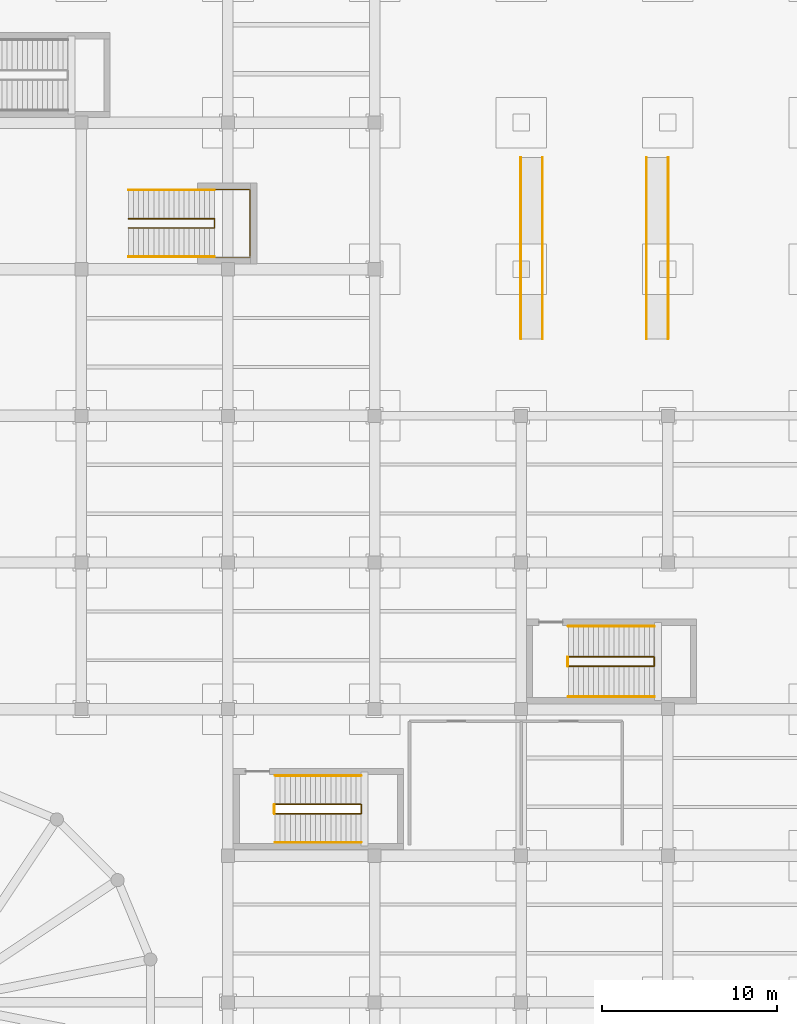
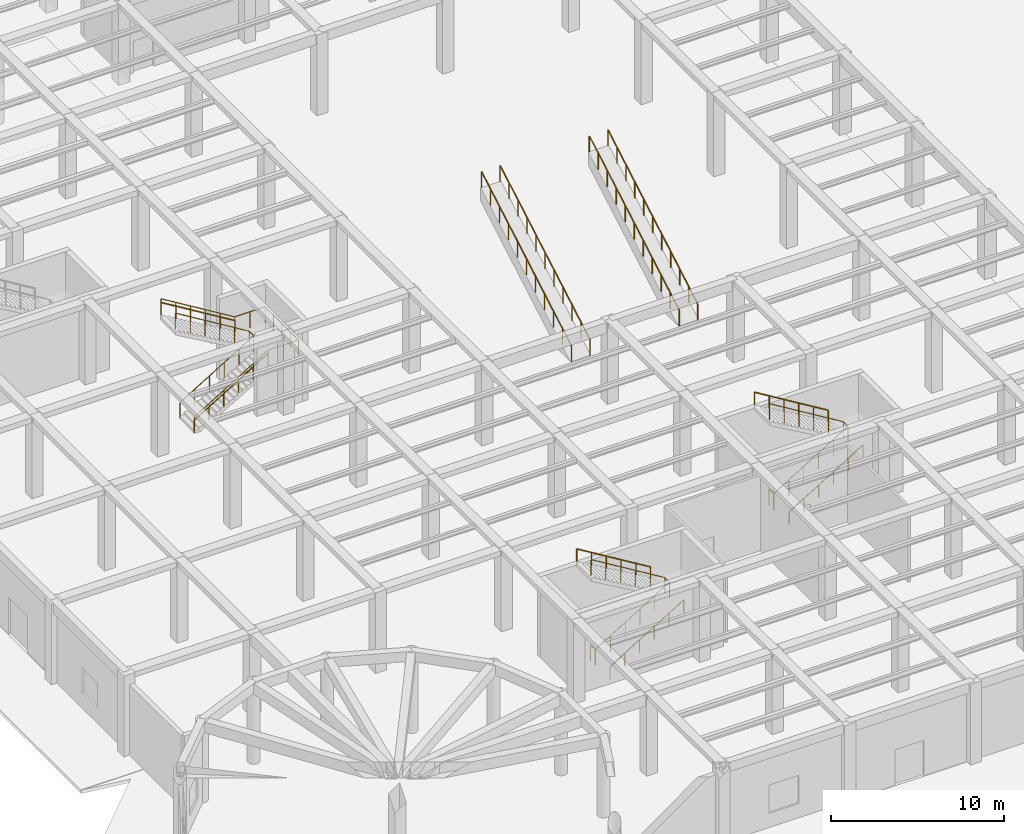
# One storey, part 34 of 43: 16 railings.
"""IFC4 building model written with IfcOpenShell, lengths in metres."""

from ifc_helpers import new_model, si_unit, direction, frame, origin, origin_2d, place, context, subcontext, project, spatial, circle, extrude, material, type_object, element, save


model = new_model("IFC4")

# Units and contexts
model_context = context("Model", 3, precision=1e-05, world=origin(), true_north=direction((0.0, 1.0)))
body_context = subcontext(model_context, "Body", "Model", "MODEL_VIEW")
ifc_project = project(units=[si_unit("LENGTHUNIT", "METRE"), si_unit("AREAUNIT", "SQUARE_METRE"), si_unit("VOLUMEUNIT", "CUBIC_METRE"), si_unit("PLANEANGLEUNIT", "RADIAN"), si_unit("MASSUNIT", "GRAM", prefix="KILO")], contexts=[model_context])

# Site, building, storey
site_placement = place(None, origin())
site = spatial("IfcSite", under=ifc_project, at=site_placement, CompositionType="ELEMENT")
building_placement = place(site_placement, origin())
building = spatial("IfcBuilding", under=site, at=building_placement, Name="Almacenes y Pasaje Nevantli", CompositionType="ELEMENT")
storey_placement = place(building_placement, origin())
storey = spatial("IfcBuildingStorey", under=building, at=storey_placement, Name="L01", CompositionType="ELEMENT", Elevation=0.0)

# Railings
ifc_material_1 = material(Name="Brushed Stainless Steel and Tempered Safety Glass", Category="steel")
railing_type_1 = type_object("IfcRailingType", Name="RL-GUARD-1100", PredefinedType="BALUSTRADE", material=ifc_material_1)
railing_1_placement = place(storey_placement, frame((27.89990234375, 19.2099609375, 0.0)))
element("IfcRailing", 1, at=railing_1_placement, inside=storey, type_object=railing_type_1, Name="L01 Stair ST-04 Inner Well Guard Balustrade", PredefinedType="BALUSTRADE", context=body_context, shape_type="SweptSolid", body=[
    extrude(circle(Radius=0.02392578125, at=origin_2d()), frame((0.025634765625, 0.0, 1.141357421875), z_axis=(0.854273700768, 0.0, 0.519823474053), x_axis=(0.0, 1.0, 0.0)), (0.0, 0.0, 1.0), 5.711181640625),
    extrude(circle(Radius=0.02392578125, at=origin_2d()), frame((4.93017578125, 0.030029296875, 4.1259765625), z_axis=(0.0, 1.0, 0.0), x_axis=(-1.0, 0.0, 0.0)), (0.0, 0.0, 1.0), 0.469970703125),
    extrude(circle(Radius=0.02392578125, at=origin_2d()), frame((4.904541015625, 0.530029296875, 4.141357421875), z_axis=(-0.854273700768, 0.0, 0.519823474053), x_axis=(0.0, -1.0, 0.0)), (0.0, 0.0, 1.0), 5.711181640625),
    extrude(circle(Radius=0.02099609375, at=origin_2d()), origin(), (0.0, 0.0, 1.0), 1.096923828125),
    extrude(circle(Radius=0.02099609375, at=origin_2d()), frame((0.986083984375, 0.0, 0.60009765625)), (0.0, 0.0, 1.0), 1.096923828125),
    extrude(circle(Radius=0.02099609375, at=origin_2d()), frame((1.97216796875, 0.0, 1.199951171875)), (0.0, 0.0, 1.0), 1.096923828125),
    extrude(circle(Radius=0.02099609375, at=origin_2d()), frame((2.9580078125, 0.0, 1.800048828125)), (0.0, 0.0, 1.0), 1.096923828125),
    extrude(circle(Radius=0.02099609375, at=origin_2d()), frame((3.944091796875, 0.0, 2.39990234375)), (0.0, 0.0, 1.0), 1.096923828125),
    extrude(circle(Radius=0.02099609375, at=origin_2d()), frame((4.93017578125, 0.0, 3.0)), (0.0, 0.0, 1.0), 1.096923828125),
    extrude(circle(Radius=0.02099609375, at=origin_2d()), frame((4.93017578125, 0.530029296875, 3.0)), (0.0, 0.0, 1.0), 1.096923828125),
    extrude(circle(Radius=0.02099609375, at=origin_2d()), frame((3.944091796875, 0.530029296875, 3.60009765625)), (0.0, 0.0, 1.0), 1.096923828125),
    extrude(circle(Radius=0.02099609375, at=origin_2d()), frame((2.9580078125, 0.530029296875, 4.199951171875)), (0.0, 0.0, 1.0), 1.096923828125),
    extrude(circle(Radius=0.02099609375, at=origin_2d()), frame((1.97216796875, 0.530029296875, 4.800048828125)), (0.0, 0.0, 1.0), 1.096923828125),
    extrude(circle(Radius=0.02099609375, at=origin_2d()), frame((0.986083984375, 0.530029296875, 5.39990234375)), (0.0, 0.0, 1.0), 1.096923828125),
    extrude(circle(Radius=0.02099609375, at=origin_2d()), frame((0.0, 0.530029296875, 6.0)), (0.0, 0.0, 1.0), 1.096923828125),
])
railing_2_placement = place(storey_placement, frame((27.860107421875, 19.2099609375, 0.0)))
element("IfcRailing", 2, at=railing_2_placement, inside=storey, type_object=railing_type_1, Name="L01 Stair ST-04 Landing Well Slot Guard", PredefinedType="BALUSTRADE", context=body_context, shape_type="SweptSolid", body=[
    extrude(circle(Radius=0.02392578125, at=origin_2d()), frame((0.0, 0.030029296875, 1.1259765625), z_axis=(0.0, 1.0, 0.0), x_axis=(-1.0, 0.0, 0.0)), (0.0, 0.0, 1.0), 0.469970703125),
    extrude(circle(Radius=0.02099609375, at=origin_2d()), origin(), (0.0, 0.0, 1.0), 1.096923828125),
    extrude(circle(Radius=0.02099609375, at=origin_2d()), frame((0.0, 0.530029296875, 0.0)), (0.0, 0.0, 1.0), 1.096923828125),
])
railing_3_placement = place(storey_placement, frame((44.699951171875, 27.659912109375, 0.0)))
element("IfcRailing", 3, at=railing_3_placement, inside=storey, type_object=railing_type_1, Name="L01 Stair ST-14 Inner Well Guard Balustrade", PredefinedType="BALUSTRADE", context=body_context, shape_type="SweptSolid", body=[
    extrude(circle(Radius=0.02392578125, at=origin_2d()), frame((0.025634765625, 0.0, 1.141357421875), z_axis=(0.854262269089, 0.0, 0.519842260316), x_axis=(0.0, 1.0, 0.0)), (0.0, 0.0, 1.0), 5.7109375),
    extrude(circle(Radius=0.02392578125, at=origin_2d()), frame((4.929931640625, 0.030029296875, 4.1259765625), z_axis=(0.0, 1.0, 0.0), x_axis=(-1.0, 0.0, 0.0)), (0.0, 0.0, 1.0), 0.469970703125),
    extrude(circle(Radius=0.02392578125, at=origin_2d()), frame((4.904296875, 0.530029296875, 4.141357421875), z_axis=(-0.854262269089, 0.0, 0.519842260316), x_axis=(0.0, -1.0, 0.0)), (0.0, 0.0, 1.0), 5.7109375),
    extrude(circle(Radius=0.02099609375, at=origin_2d()), origin(), (0.0, 0.0, 1.0), 1.096923828125),
    extrude(circle(Radius=0.02099609375, at=origin_2d()), frame((0.986083984375, 0.0, 0.60009765625)), (0.0, 0.0, 1.0), 1.096923828125),
    extrude(circle(Radius=0.02099609375, at=origin_2d()), frame((1.971923828125, 0.0, 1.199951171875)), (0.0, 0.0, 1.0), 1.096923828125),
    extrude(circle(Radius=0.02099609375, at=origin_2d()), frame((2.9580078125, 0.0, 1.800048828125)), (0.0, 0.0, 1.0), 1.096923828125),
    extrude(circle(Radius=0.02099609375, at=origin_2d()), frame((3.94384765625, 0.0, 2.39990234375)), (0.0, 0.0, 1.0), 1.096923828125),
    extrude(circle(Radius=0.02099609375, at=origin_2d()), frame((4.929931640625, 0.0, 3.0)), (0.0, 0.0, 1.0), 1.096923828125),
    extrude(circle(Radius=0.02099609375, at=origin_2d()), frame((4.929931640625, 0.530029296875, 3.0)), (0.0, 0.0, 1.0), 1.096923828125),
    extrude(circle(Radius=0.02099609375, at=origin_2d()), frame((3.94384765625, 0.530029296875, 3.60009765625)), (0.0, 0.0, 1.0), 1.096923828125),
    extrude(circle(Radius=0.02099609375, at=origin_2d()), frame((2.9580078125, 0.530029296875, 4.199951171875)), (0.0, 0.0, 1.0), 1.096923828125),
    extrude(circle(Radius=0.02099609375, at=origin_2d()), frame((1.971923828125, 0.530029296875, 4.800048828125)), (0.0, 0.0, 1.0), 1.096923828125),
    extrude(circle(Radius=0.02099609375, at=origin_2d()), frame((0.986083984375, 0.530029296875, 5.39990234375)), (0.0, 0.0, 1.0), 1.096923828125),
    extrude(circle(Radius=0.02099609375, at=origin_2d()), frame((0.0, 0.530029296875, 6.0)), (0.0, 0.0, 1.0), 1.096923828125),
])
railing_4_placement = place(storey_placement, frame((44.659912109375, 27.659912109375, 0.0)))
element("IfcRailing", 4, at=railing_4_placement, inside=storey, type_object=railing_type_1, Name="L01 Stair ST-14 Landing Well Slot Guard", PredefinedType="BALUSTRADE", context=body_context, shape_type="SweptSolid", body=[
    extrude(circle(Radius=0.02392578125, at=origin_2d()), frame((0.0, 0.030029296875, 1.1259765625), z_axis=(0.0, 1.0, 0.0), x_axis=(-1.0, 0.0, 0.0)), (0.0, 0.0, 1.0), 0.469970703125),
    extrude(circle(Radius=0.02099609375, at=origin_2d()), origin(), (0.0, 0.0, 1.0), 1.096923828125),
    extrude(circle(Radius=0.02099609375, at=origin_2d()), frame((0.0, 0.530029296875, 0.0)), (0.0, 0.0, 1.0), 1.096923828125),
])
railing_5_placement = place(storey_placement, frame((19.5, 52.760009765625, 0.0)))
element("IfcRailing", 5, at=railing_5_placement, inside=storey, type_object=railing_type_1, Name="L01 Stair ST-09 Inner Well Guard Balustrade", PredefinedType="BALUSTRADE", context=body_context, shape_type="SweptSolid", body=[
    extrude(circle(Radius=0.02392578125, at=origin_2d()), frame((0.025634765625, 0.0, 1.141357421875), z_axis=(0.854262269089, 0.0, 0.519842260316), x_axis=(0.0, 1.0, 0.0)), (0.0, 0.0, 1.0), 5.7109375),
    extrude(circle(Radius=0.02392578125, at=origin_2d()), frame((4.929931640625, 0.030029296875, 4.1259765625), z_axis=(0.0, 1.0, 0.0), x_axis=(-1.0, 0.0, 0.0)), (0.0, 0.0, 1.0), 0.469970703125),
    extrude(circle(Radius=0.02392578125, at=origin_2d()), frame((4.904296875, 0.530029296875, 4.141357421875), z_axis=(-0.854262269089, 0.0, 0.519842260316), x_axis=(0.0, -1.0, 0.0)), (0.0, 0.0, 1.0), 5.7109375),
    extrude(circle(Radius=0.02099609375, at=origin_2d()), origin(), (0.0, 0.0, 1.0), 1.096923828125),
    extrude(circle(Radius=0.02099609375, at=origin_2d()), frame((0.986083984375, 0.0, 0.60009765625)), (0.0, 0.0, 1.0), 1.096923828125),
    extrude(circle(Radius=0.02099609375, at=origin_2d()), frame((1.971923828125, 0.0, 1.199951171875)), (0.0, 0.0, 1.0), 1.096923828125),
    extrude(circle(Radius=0.02099609375, at=origin_2d()), frame((2.9580078125, 0.0, 1.800048828125)), (0.0, 0.0, 1.0), 1.096923828125),
    extrude(circle(Radius=0.02099609375, at=origin_2d()), frame((3.94384765625, 0.0, 2.39990234375)), (0.0, 0.0, 1.0), 1.096923828125),
    extrude(circle(Radius=0.02099609375, at=origin_2d()), frame((4.929931640625, 0.0, 3.0)), (0.0, 0.0, 1.0), 1.096923828125),
    extrude(circle(Radius=0.02099609375, at=origin_2d()), frame((4.929931640625, 0.530029296875, 3.0)), (0.0, 0.0, 1.0), 1.096923828125),
    extrude(circle(Radius=0.02099609375, at=origin_2d()), frame((3.94384765625, 0.530029296875, 3.60009765625)), (0.0, 0.0, 1.0), 1.096923828125),
    extrude(circle(Radius=0.02099609375, at=origin_2d()), frame((2.9580078125, 0.530029296875, 4.199951171875)), (0.0, 0.0, 1.0), 1.096923828125),
    extrude(circle(Radius=0.02099609375, at=origin_2d()), frame((1.971923828125, 0.530029296875, 4.800048828125)), (0.0, 0.0, 1.0), 1.096923828125),
    extrude(circle(Radius=0.02099609375, at=origin_2d()), frame((0.986083984375, 0.530029296875, 5.39990234375)), (0.0, 0.0, 1.0), 1.096923828125),
    extrude(circle(Radius=0.02099609375, at=origin_2d()), frame((0.0, 0.530029296875, 6.0)), (0.0, 0.0, 1.0), 1.096923828125),
])
railing_6_placement = place(storey_placement, frame((19.5, 51.090087890625, 0.0)))
element("IfcRailing", 6, at=railing_6_placement, inside=storey, type_object=railing_type_1, Name="L01 Monumental Stair ST-09 Outer Balustrade", PredefinedType="BALUSTRADE", context=body_context, shape_type="SweptSolid", body=[
    extrude(circle(Radius=0.02392578125, at=origin_2d()), frame((0.025634765625, 0.0, 1.141357421875), z_axis=(0.854262269089, 0.0, 0.519842260316), x_axis=(0.0, 1.0, 0.0)), (0.0, 0.0, 1.0), 5.7109375),
    extrude(circle(Radius=0.02392578125, at=origin_2d()), frame((4.9599609375, 0.0, 4.1259765625), z_axis=(1.0, 0.0, 0.0), x_axis=(0.0, 1.0, 0.0)), (0.0, 0.0, 1.0), 1.969970703125),
    extrude(circle(Radius=0.02392578125, at=origin_2d()), frame((6.9599609375, 0.030029296875, 4.1259765625), z_axis=(0.0, 1.0, 0.0), x_axis=(-1.0, 0.0, 0.0)), (0.0, 0.0, 1.0), 3.809814453125),
    extrude(circle(Radius=0.02392578125, at=origin_2d()), frame((6.929931640625, 3.869873046875, 4.1259765625), z_axis=(-1.0, 0.0, 0.0), x_axis=(0.0, -1.0, 0.0)), (0.0, 0.0, 1.0), 1.969970703125),
    extrude(circle(Radius=0.02392578125, at=origin_2d()), frame((4.904296875, 3.869873046875, 4.141357421875), z_axis=(-0.854262269089, 0.0, 0.519842260316), x_axis=(0.0, -1.0, 0.0)), (0.0, 0.0, 1.0), 5.7109375),
    extrude(circle(Radius=0.02099609375, at=origin_2d()), origin(), (0.0, 0.0, 1.0), 1.096923828125),
    extrude(circle(Radius=0.02099609375, at=origin_2d()), frame((0.986083984375, 0.0, 0.60009765625)), (0.0, 0.0, 1.0), 1.096923828125),
    extrude(circle(Radius=0.02099609375, at=origin_2d()), frame((1.971923828125, 0.0, 1.199951171875)), (0.0, 0.0, 1.0), 1.096923828125),
    extrude(circle(Radius=0.02099609375, at=origin_2d()), frame((2.9580078125, 0.0, 1.800048828125)), (0.0, 0.0, 1.0), 1.096923828125),
    extrude(circle(Radius=0.02099609375, at=origin_2d()), frame((3.94384765625, 0.0, 2.39990234375)), (0.0, 0.0, 1.0), 1.096923828125),
    extrude(circle(Radius=0.02099609375, at=origin_2d()), frame((4.929931640625, 0.0, 3.0)), (0.0, 0.0, 1.0), 1.096923828125),
    extrude(circle(Radius=0.02099609375, at=origin_2d()), frame((5.94482421875, 0.0, 3.0)), (0.0, 0.0, 1.0), 1.096923828125),
    extrude(circle(Radius=0.02099609375, at=origin_2d()), frame((6.9599609375, 0.0, 3.0)), (0.0, 0.0, 1.0), 1.096923828125),
    extrude(circle(Radius=0.02099609375, at=origin_2d()), frame((6.9599609375, 0.967529296875, 3.0)), (0.0, 0.0, 1.0), 1.096923828125),
    extrude(circle(Radius=0.02099609375, at=origin_2d()), frame((6.9599609375, 1.93505859375, 3.0)), (0.0, 0.0, 1.0), 1.096923828125),
    extrude(circle(Radius=0.02099609375, at=origin_2d()), frame((6.9599609375, 2.90234375, 3.0)), (0.0, 0.0, 1.0), 1.096923828125),
    extrude(circle(Radius=0.02099609375, at=origin_2d()), frame((6.9599609375, 3.869873046875, 3.0)), (0.0, 0.0, 1.0), 1.096923828125),
    extrude(circle(Radius=0.02099609375, at=origin_2d()), frame((5.94482421875, 3.869873046875, 3.0)), (0.0, 0.0, 1.0), 1.096923828125),
    extrude(circle(Radius=0.02099609375, at=origin_2d()), frame((4.929931640625, 3.869873046875, 3.0)), (0.0, 0.0, 1.0), 1.096923828125),
    extrude(circle(Radius=0.02099609375, at=origin_2d()), frame((3.94384765625, 3.869873046875, 3.60009765625)), (0.0, 0.0, 1.0), 1.096923828125),
    extrude(circle(Radius=0.02099609375, at=origin_2d()), frame((2.9580078125, 3.869873046875, 4.199951171875)), (0.0, 0.0, 1.0), 1.096923828125),
    extrude(circle(Radius=0.02099609375, at=origin_2d()), frame((1.971923828125, 3.869873046875, 4.800048828125)), (0.0, 0.0, 1.0), 1.096923828125),
    extrude(circle(Radius=0.02099609375, at=origin_2d()), frame((0.986083984375, 3.869873046875, 5.39990234375)), (0.0, 0.0, 1.0), 1.096923828125),
    extrude(circle(Radius=0.02099609375, at=origin_2d()), frame((0.0, 3.869873046875, 6.0)), (0.0, 0.0, 1.0), 1.096923828125),
])
for number, where, name in (
    (7, (41.97998046875, 46.409912109375, 0.0), "Atrium Escalator ESC-01 W Balustrade"),
    (8, (43.219970703125, 46.409912109375, 0.0), "Atrium Escalator ESC-01 E Balustrade"),
    (9, (49.179931640625, 46.409912109375, 0.0), "Atrium Escalator ESC-02 W Balustrade"),
    (10, (50.419921875, 46.409912109375, 0.0), "Atrium Escalator ESC-02 E Balustrade"),
):
    element("IfcRailing", number, at=place(storey_placement, frame(where)), inside=storey, type_object=railing_type_1, Name=name, PredefinedType="BALUSTRADE", context=body_context, shape_type="SweptSolid", body=[
        extrude(circle(Radius=0.02392578125, at=origin_2d()), frame((0.0, 0.02587890625, 1.140869140625), z_axis=(0.0, 0.865980223875, 0.500078245734), x_axis=(-1.0, 0.0, 0.0)), (0.0, 0.0, 1.0), 11.938232421875),
        extrude(circle(Radius=0.02099609375, at=origin_2d()), origin(), (0.0, 0.0, 1.0), 1.096923828125),
        extrude(circle(Radius=0.02099609375, at=origin_2d()), frame((0.0, 1.0390625, 0.60009765625)), (0.0, 0.0, 1.0), 1.096923828125),
        extrude(circle(Radius=0.02099609375, at=origin_2d()), frame((0.0, 2.078125, 1.199951171875)), (0.0, 0.0, 1.0), 1.096923828125),
        extrude(circle(Radius=0.02099609375, at=origin_2d()), frame((0.0, 3.116943359375, 1.800048828125)), (0.0, 0.0, 1.0), 1.096923828125),
        extrude(circle(Radius=0.02099609375, at=origin_2d()), frame((0.0, 4.156005859375, 2.39990234375)), (0.0, 0.0, 1.0), 1.096923828125),
        extrude(circle(Radius=0.02099609375, at=origin_2d()), frame((0.0, 5.195068359375, 3.0)), (0.0, 0.0, 1.0), 1.096923828125),
        extrude(circle(Radius=0.02099609375, at=origin_2d()), frame((0.0, 6.234130859375, 3.60009765625)), (0.0, 0.0, 1.0), 1.096923828125),
        extrude(circle(Radius=0.02099609375, at=origin_2d()), frame((0.0, 7.273193359375, 4.199951171875)), (0.0, 0.0, 1.0), 1.096923828125),
        extrude(circle(Radius=0.02099609375, at=origin_2d()), frame((0.0, 8.31201171875, 4.800048828125)), (0.0, 0.0, 1.0), 1.096923828125),
        extrude(circle(Radius=0.02099609375, at=origin_2d()), frame((0.0, 9.35107421875, 5.39990234375)), (0.0, 0.0, 1.0), 1.096923828125),
        extrude(circle(Radius=0.02099609375, at=origin_2d()), frame((0.0, 10.39013671875, 6.0)), (0.0, 0.0, 1.0), 1.096923828125),
    ])
ifc_material_2 = material(Name="Brushed Stainless Steel Tube", Category="steel")
railing_type_2 = type_object("IfcRailingType", Name="RL-HANDRAIL-900", PredefinedType="HANDRAIL", material=ifc_material_2)
railing_7_placement = place(storey_placement, frame((27.89990234375, 17.56005859375, 0.0)))
element("IfcRailing", 11, at=railing_7_placement, inside=storey, type_object=railing_type_2, Name="L01 Stair ST-04 Lower Flight Handrail", PredefinedType="HANDRAIL", context=body_context, shape_type="SweptSolid", body=[
    extrude(circle(Radius=0.02392578125, at=origin_2d()), frame((0.025634765625, 0.0, 0.891357421875), z_axis=(0.854273700768, 0.0, 0.519823474053), x_axis=(0.0, 1.0, 0.0)), (0.0, 0.0, 1.0), 5.711181640625),
    extrude(circle(Radius=0.02099609375, at=origin_2d()), origin(), (0.0, 0.0, 1.0), 0.846923828125),
    extrude(circle(Radius=0.02099609375, at=origin_2d()), frame((0.986083984375, 0.0, 0.60009765625)), (0.0, 0.0, 1.0), 0.846923828125),
    extrude(circle(Radius=0.02099609375, at=origin_2d()), frame((1.97216796875, 0.0, 1.199951171875)), (0.0, 0.0, 1.0), 0.846923828125),
    extrude(circle(Radius=0.02099609375, at=origin_2d()), frame((2.9580078125, 0.0, 1.800048828125)), (0.0, 0.0, 1.0), 0.846923828125),
    extrude(circle(Radius=0.02099609375, at=origin_2d()), frame((3.944091796875, 0.0, 2.39990234375)), (0.0, 0.0, 1.0), 0.846923828125),
    extrude(circle(Radius=0.02099609375, at=origin_2d()), frame((4.93017578125, 0.0, 3.0)), (0.0, 0.0, 1.0), 0.846923828125),
])
railing_8_placement = place(storey_placement, frame((32.830078125, 21.389892578125, 3.0)))
element("IfcRailing", 12, at=railing_8_placement, inside=storey, type_object=railing_type_2, Name="L01 Stair ST-04 Upper Flight Handrail", PredefinedType="HANDRAIL", context=body_context, shape_type="SweptSolid", body=[
    extrude(circle(Radius=0.02392578125, at=origin_2d()), frame((-0.025634765625, 0.0, 0.891357421875), z_axis=(-0.854273700768, 0.0, 0.519823474053), x_axis=(0.0, -1.0, 0.0)), (0.0, 0.0, 1.0), 5.711181640625),
    extrude(circle(Radius=0.02099609375, at=origin_2d()), origin(), (0.0, 0.0, 1.0), 0.846923828125),
    extrude(circle(Radius=0.02099609375, at=origin_2d()), frame((-0.986083984375, 0.0, 0.60009765625)), (0.0, 0.0, 1.0), 0.846923828125),
    extrude(circle(Radius=0.02099609375, at=origin_2d()), frame((-1.97216796875, 0.0, 1.199951171875)), (0.0, 0.0, 1.0), 0.846923828125),
    extrude(circle(Radius=0.02099609375, at=origin_2d()), frame((-2.9580078125, 0.0, 1.800048828125)), (0.0, 0.0, 1.0), 0.846923828125),
    extrude(circle(Radius=0.02099609375, at=origin_2d()), frame((-3.944091796875, 0.0, 2.39990234375)), (0.0, 0.0, 1.0), 0.846923828125),
    extrude(circle(Radius=0.02099609375, at=origin_2d()), frame((-4.93017578125, 0.0, 3.0)), (0.0, 0.0, 1.0), 0.846923828125),
])
railing_9_placement = place(storey_placement, frame((44.699951171875, 25.909912109375, 0.0)))
element("IfcRailing", 13, at=railing_9_placement, inside=storey, type_object=railing_type_2, Name="L01 Stair ST-14 Lower Flight Handrail", PredefinedType="HANDRAIL", context=body_context, shape_type="SweptSolid", body=[
    extrude(circle(Radius=0.02392578125, at=origin_2d()), frame((0.025634765625, 0.0, 0.891357421875), z_axis=(0.854262269089, 0.0, 0.519842260316), x_axis=(0.0, 1.0, 0.0)), (0.0, 0.0, 1.0), 5.7109375),
    extrude(circle(Radius=0.02099609375, at=origin_2d()), origin(), (0.0, 0.0, 1.0), 0.846923828125),
    extrude(circle(Radius=0.02099609375, at=origin_2d()), frame((0.986083984375, 0.0, 0.60009765625)), (0.0, 0.0, 1.0), 0.846923828125),
    extrude(circle(Radius=0.02099609375, at=origin_2d()), frame((1.971923828125, 0.0, 1.199951171875)), (0.0, 0.0, 1.0), 0.846923828125),
    extrude(circle(Radius=0.02099609375, at=origin_2d()), frame((2.9580078125, 0.0, 1.800048828125)), (0.0, 0.0, 1.0), 0.846923828125),
    extrude(circle(Radius=0.02099609375, at=origin_2d()), frame((3.94384765625, 0.0, 2.39990234375)), (0.0, 0.0, 1.0), 0.846923828125),
    extrude(circle(Radius=0.02099609375, at=origin_2d()), frame((4.929931640625, 0.0, 3.0)), (0.0, 0.0, 1.0), 0.846923828125),
])
railing_10_placement = place(storey_placement, frame((49.6298828125, 29.93994140625, 3.0)))
element("IfcRailing", 14, at=railing_10_placement, inside=storey, type_object=railing_type_2, Name="L01 Stair ST-14 Upper Flight Handrail", PredefinedType="HANDRAIL", context=body_context, shape_type="SweptSolid", body=[
    extrude(circle(Radius=0.02392578125, at=origin_2d()), frame((-0.025634765625, 0.0, 0.891357421875), z_axis=(-0.854262269089, 0.0, 0.519842260316), x_axis=(0.0, -1.0, 0.0)), (0.0, 0.0, 1.0), 5.7109375),
    extrude(circle(Radius=0.02099609375, at=origin_2d()), origin(), (0.0, 0.0, 1.0), 0.846923828125),
    extrude(circle(Radius=0.02099609375, at=origin_2d()), frame((-0.986083984375, 0.0, 0.60009765625)), (0.0, 0.0, 1.0), 0.846923828125),
    extrude(circle(Radius=0.02099609375, at=origin_2d()), frame((-1.971923828125, 0.0, 1.199951171875)), (0.0, 0.0, 1.0), 0.846923828125),
    extrude(circle(Radius=0.02099609375, at=origin_2d()), frame((-2.9580078125, 0.0, 1.800048828125)), (0.0, 0.0, 1.0), 0.846923828125),
    extrude(circle(Radius=0.02099609375, at=origin_2d()), frame((-3.94384765625, 0.0, 2.39990234375)), (0.0, 0.0, 1.0), 0.846923828125),
    extrude(circle(Radius=0.02099609375, at=origin_2d()), frame((-4.929931640625, 0.0, 3.0)), (0.0, 0.0, 1.0), 0.846923828125),
])
railing_11_placement = place(storey_placement, frame((19.5, 51.110107421875, 0.0)))
element("IfcRailing", 15, at=railing_11_placement, inside=storey, type_object=railing_type_2, Name="L01 Stair ST-09 Lower Flight Handrail", PredefinedType="HANDRAIL", context=body_context, shape_type="SweptSolid", body=[
    extrude(circle(Radius=0.02392578125, at=origin_2d()), frame((0.025634765625, 0.0, 0.891357421875), z_axis=(0.854262269089, 0.0, 0.519842260316), x_axis=(0.0, 1.0, 0.0)), (0.0, 0.0, 1.0), 5.7109375),
    extrude(circle(Radius=0.02099609375, at=origin_2d()), origin(), (0.0, 0.0, 1.0), 0.846923828125),
    extrude(circle(Radius=0.02099609375, at=origin_2d()), frame((0.986083984375, 0.0, 0.60009765625)), (0.0, 0.0, 1.0), 0.846923828125),
    extrude(circle(Radius=0.02099609375, at=origin_2d()), frame((1.971923828125, 0.0, 1.199951171875)), (0.0, 0.0, 1.0), 0.846923828125),
    extrude(circle(Radius=0.02099609375, at=origin_2d()), frame((2.9580078125, 0.0, 1.800048828125)), (0.0, 0.0, 1.0), 0.846923828125),
    extrude(circle(Radius=0.02099609375, at=origin_2d()), frame((3.94384765625, 0.0, 2.39990234375)), (0.0, 0.0, 1.0), 0.846923828125),
    extrude(circle(Radius=0.02099609375, at=origin_2d()), frame((4.929931640625, 0.0, 3.0)), (0.0, 0.0, 1.0), 0.846923828125),
])
railing_12_placement = place(storey_placement, frame((24.429931640625, 54.93994140625, 3.0)))
element("IfcRailing", 16, at=railing_12_placement, inside=storey, type_object=railing_type_2, Name="L01 Stair ST-09 Upper Flight Handrail", PredefinedType="HANDRAIL", context=body_context, shape_type="SweptSolid", body=[
    extrude(circle(Radius=0.02392578125, at=origin_2d()), frame((-0.025634765625, 0.0, 0.891357421875), z_axis=(-0.854262269089, 0.0, 0.519842260316), x_axis=(0.0, -1.0, 0.0)), (0.0, 0.0, 1.0), 5.7109375),
    extrude(circle(Radius=0.02099609375, at=origin_2d()), origin(), (0.0, 0.0, 1.0), 0.846923828125),
    extrude(circle(Radius=0.02099609375, at=origin_2d()), frame((-0.986083984375, 0.0, 0.60009765625)), (0.0, 0.0, 1.0), 0.846923828125),
    extrude(circle(Radius=0.02099609375, at=origin_2d()), frame((-1.971923828125, 0.0, 1.199951171875)), (0.0, 0.0, 1.0), 0.846923828125),
    extrude(circle(Radius=0.02099609375, at=origin_2d()), frame((-2.9580078125, 0.0, 1.800048828125)), (0.0, 0.0, 1.0), 0.846923828125),
    extrude(circle(Radius=0.02099609375, at=origin_2d()), frame((-3.94384765625, 0.0, 2.39990234375)), (0.0, 0.0, 1.0), 0.846923828125),
    extrude(circle(Radius=0.02099609375, at=origin_2d()), frame((-4.929931640625, 0.0, 3.0)), (0.0, 0.0, 1.0), 0.846923828125),
])

save(model, "model.ifc")
